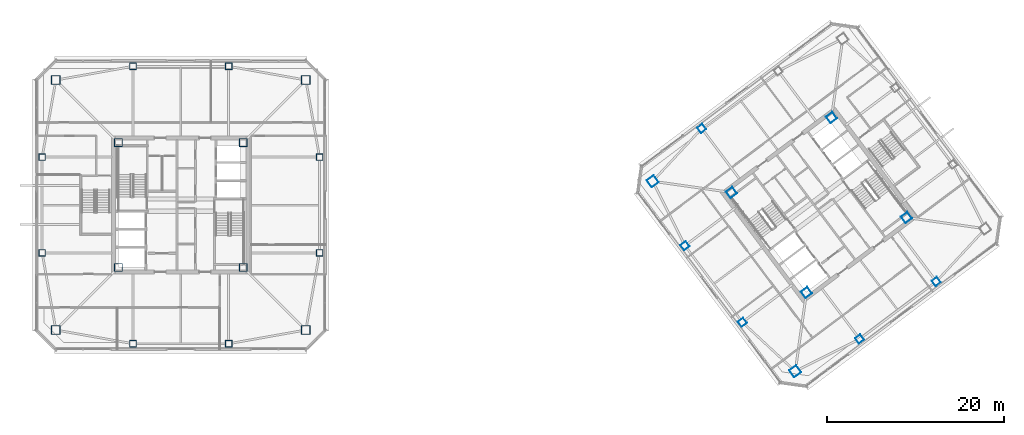
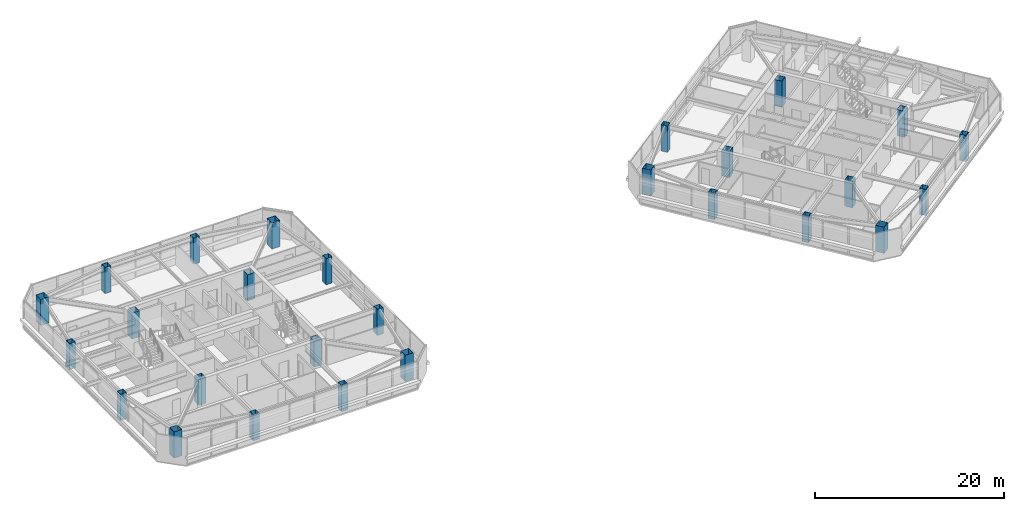
# One storey, part 1 of 44: 27 columns.
"""IFC4 building model written with IfcOpenShell, lengths in metres."""

from ifc_helpers import new_model, si_unit, direction, frame, origin, origin_2d, place, context, subcontext, project, spatial, hollow_rectangle, extrude, material, material_profile, profile_set, type_object, element, save


model = new_model("IFC4")

# Units and contexts
model_context = context("Model", 3, precision=1e-05, world=origin(), true_north=direction((0.0, 1.0)))
body_context = subcontext(model_context, "Body", "Model", "MODEL_VIEW")
ifc_project = project(units=[si_unit("LENGTHUNIT", "METRE"), si_unit("AREAUNIT", "SQUARE_METRE"), si_unit("VOLUMEUNIT", "CUBIC_METRE"), si_unit("PLANEANGLEUNIT", "RADIAN"), si_unit("MASSUNIT", "GRAM", prefix="KILO")], contexts=[model_context])

# Site, building, storey
site_placement = place(None, origin())
site = spatial("IfcSite", under=ifc_project, at=site_placement, CompositionType="ELEMENT")
building_placement = place(site_placement, origin())
building = spatial("IfcBuilding", under=site, at=building_placement, Name="Tashvorn Skyway Center", CompositionType="ELEMENT")
storey_placement = place(building_placement, frame((0.0, 0.0, 211.300048828125)))
storey = spatial("IfcBuildingStorey", under=building, at=storey_placement, Name="L57", CompositionType="ELEMENT", Elevation=211.300048828125)

# Columns
ifc_material = material(Name="Steel ASTM A572 Grade 50", Category="steel")
ifc_material_profile_1 = material_profile(ifc_material, hollow_rectangle(XDim=1.0, YDim=1.0, WallThickness=0.0400390625, at=origin_2d()), Name="BOX1000x1000x40")
ifc_profile_set_1 = profile_set([ifc_material_profile_1], Name="Steel ASTM A572 Grade 50")
column_type_1 = type_object("IfcColumnType", Name="COL-BOX1000x1000x40", PredefinedType="COLUMN", material=ifc_profile_set_1)
for number, where, z_axis, x_axis, name in (
    (1, (27.89990234375, 17.89990234375, 0.0), (0.0, 0.0, 1.0), (1.0, 0.0, 0.0), "Tower 1 L57 Mega-Column MC-SW"),
    (2, (56.10009765625, 17.89990234375, 0.0), (0.0, 0.0, 1.0), (1.0, 0.0, 0.0), "Tower 1 L57 Mega-Column MC-SE"),
    (3, (56.10009765625, 46.10009765625, 0.0), (0.0, 0.0, 1.0), (1.0, 0.0, 0.0), "Tower 1 L57 Mega-Column MC-NE"),
    (4, (27.89990234375, 46.10009765625, 0.0), (0.0, 0.0, 1.0), (1.0, 0.0, 0.0), "Tower 1 L57 Mega-Column MC-NW"),
    (5, (111.320068359375, 13.239990234375, 0.0), (0.0, 0.0, 1.0), (0.799999996291, 0.600000004945, 0.0), "Tower 2 L57 Mega-Column MC-SW"),
    (6, (95.239990234375, 34.679931640625, 0.0), (0.0, 0.0, 1.0), (0.799999996291, 0.600000004945, 0.0), "Tower 2 L57 Mega-Column MC-NW"),
):
    element("IfcColumn", number, at=place(storey_placement, frame(where, z_axis=z_axis, x_axis=x_axis)), inside=storey, type_object=column_type_1, Name=name, PredefinedType="COLUMN", context=body_context, shape_type="SweptSolid", body=[
        extrude(hollow_rectangle(XDim=1.0, YDim=1.0, WallThickness=0.0400390625, at=origin_2d()), origin(), (0.0, 0.0, 1.0), 3.369873046875),
    ])
ifc_material_profile_2 = material_profile(ifc_material, hollow_rectangle(XDim=0.75, YDim=0.75, WallThickness=0.031982421875, at=origin_2d()), Name="BOX750x750x32")
ifc_profile_set_2 = profile_set([ifc_material_profile_2], Name="Steel ASTM A572 Grade 50")
column_type_2 = type_object("IfcColumnType", Name="COL-BOX750x750x32", PredefinedType="COLUMN", material=ifc_profile_set_2)
for number, where, z_axis, x_axis, name in (
    (7, (36.60009765625, 16.35009765625, 0.0), (0.0, 0.0, 1.0), (1.0, 0.0, 0.0), "Tower 1 L57 Perimeter Column FC-S1"),
    (8, (47.39990234375, 16.35009765625, 0.0), (0.0, 0.0, 1.0), (1.0, 0.0, 0.0), "Tower 1 L57 Perimeter Column FC-S2"),
    (9, (57.64990234375, 26.60009765625, 0.0), (0.0, 0.0, 1.0), (1.0, 0.0, 0.0), "Tower 1 L57 Perimeter Column FC-E1"),
    (10, (57.64990234375, 37.39990234375, 0.0), (0.0, 0.0, 1.0), (1.0, 0.0, 0.0), "Tower 1 L57 Perimeter Column FC-E2"),
    (11, (47.39990234375, 47.64990234375, 0.0), (0.0, 0.0, 1.0), (1.0, 0.0, 0.0), "Tower 1 L57 Perimeter Column FC-N1"),
    (12, (36.60009765625, 47.64990234375, 0.0), (0.0, 0.0, 1.0), (1.0, 0.0, 0.0), "Tower 1 L57 Perimeter Column FC-N2"),
    (13, (26.35009765625, 37.39990234375, 0.0), (0.0, 0.0, 1.0), (1.0, 0.0, 0.0), "Tower 1 L57 Perimeter Column FC-W1"),
    (14, (26.35009765625, 26.60009765625, 0.0), (0.0, 0.0, 1.0), (1.0, 0.0, 0.0), "Tower 1 L57 Perimeter Column FC-W2"),
    (15, (118.590087890625, 16.8798828125, 0.0), (0.0, 0.0, 1.0), (0.799999996291, 0.600000004945, 0.0), "Tower 2 L57 Perimeter Column FC-S1"),
    (16, (127.22998046875, 23.360107421875, 0.0), (0.0, 0.0, 1.0), (0.799999996291, 0.600000004945, 0.0), "Tower 2 L57 Perimeter Column FC-S2"),
    (17, (100.77001953125, 40.639892578125, 0.0), (0.0, 0.0, 1.0), (0.799999996291, 0.600000004945, 0.0), "Tower 2 L57 Perimeter Column FC-N2"),
    (18, (98.8798828125, 27.409912109375, 0.0), (0.0, 0.0, 1.0), (0.799999996291, 0.600000004945, 0.0), "Tower 2 L57 Perimeter Column FC-W1"),
    (19, (105.360107421875, 18.77001953125, 0.0), (0.0, 0.0, 1.0), (0.799999996291, 0.600000004945, 0.0), "Tower 2 L57 Perimeter Column FC-W2"),
):
    element("IfcColumn", number, at=place(storey_placement, frame(where, z_axis=z_axis, x_axis=x_axis)), inside=storey, type_object=column_type_2, Name=name, PredefinedType="COLUMN", context=body_context, shape_type="SweptSolid", body=[
        extrude(hollow_rectangle(XDim=0.75, YDim=0.75, WallThickness=0.031982421875, at=origin_2d()), origin(), (0.0, 0.0, 1.0), 3.369873046875),
    ])
ifc_material_profile_3 = material_profile(ifc_material, hollow_rectangle(XDim=0.89990234375, YDim=0.89990234375, WallThickness=0.0400390625, at=origin_2d()), Name="BOX900x900x40")
ifc_profile_set_3 = profile_set([ifc_material_profile_3], Name="Steel ASTM A572 Grade 50")
column_type_3 = type_object("IfcColumnType", Name="COL-BOX900x900x40", PredefinedType="COLUMN", material=ifc_profile_set_3)
for number, where, z_axis, x_axis, name in (
    (20, (34.949951171875, 24.949951171875, 0.0), (0.0, 0.0, 1.0), (1.0, 0.0, 0.0), "Tower 1 L57 Core Corner Column CC-SW"),
    (21, (49.050048828125, 24.949951171875, 0.0), (0.0, 0.0, 1.0), (1.0, 0.0, 0.0), "Tower 1 L57 Core Corner Column CC-SE"),
    (22, (49.050048828125, 39.050048828125, 0.0), (0.0, 0.0, 1.0), (1.0, 0.0, 0.0), "Tower 1 L57 Core Corner Column CC-NE"),
    (23, (34.949951171875, 39.050048828125, 0.0), (0.0, 0.0, 1.0), (1.0, 0.0, 0.0), "Tower 1 L57 Core Corner Column CC-NW"),
    (24, (112.590087890625, 22.1298828125, 0.0), (0.0, 0.0, 1.0), (0.799999996291, 0.600000004945, 0.0), "Tower 2 L57 Core Corner Column CC-SW"),
    (25, (123.8701171875, 30.590087890625, 0.0), (0.0, 0.0, 1.0), (0.799999996291, 0.600000004945, 0.0), "Tower 2 L57 Core Corner Column CC-SE"),
    (26, (115.409912109375, 41.8701171875, 0.0), (0.0, 0.0, 1.0), (0.799999996291, 0.600000004945, 0.0), "Tower 2 L57 Core Corner Column CC-NE"),
    (27, (104.1298828125, 33.409912109375, 0.0), (0.0, 0.0, 1.0), (0.799999996291, 0.600000004945, 0.0), "Tower 2 L57 Core Corner Column CC-NW"),
):
    element("IfcColumn", number, at=place(storey_placement, frame(where, z_axis=z_axis, x_axis=x_axis)), inside=storey, type_object=column_type_3, Name=name, PredefinedType="COLUMN", context=body_context, shape_type="SweptSolid", body=[
        extrude(hollow_rectangle(XDim=0.89990234375, YDim=0.89990234375, WallThickness=0.0400390625, at=origin_2d()), origin(), (0.0, 0.0, 1.0), 3.369873046875),
    ])

save(model, "model.ifc")
